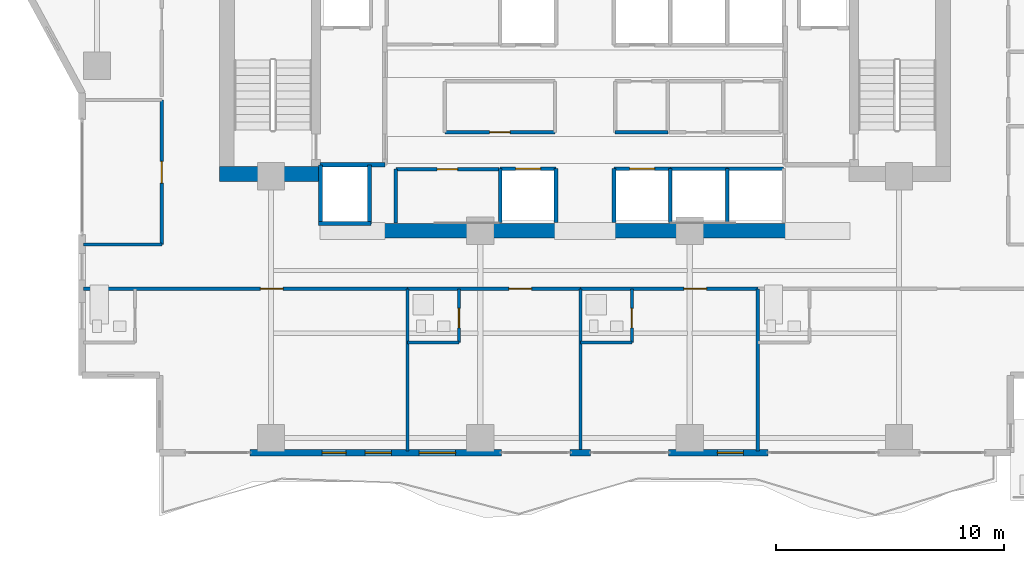
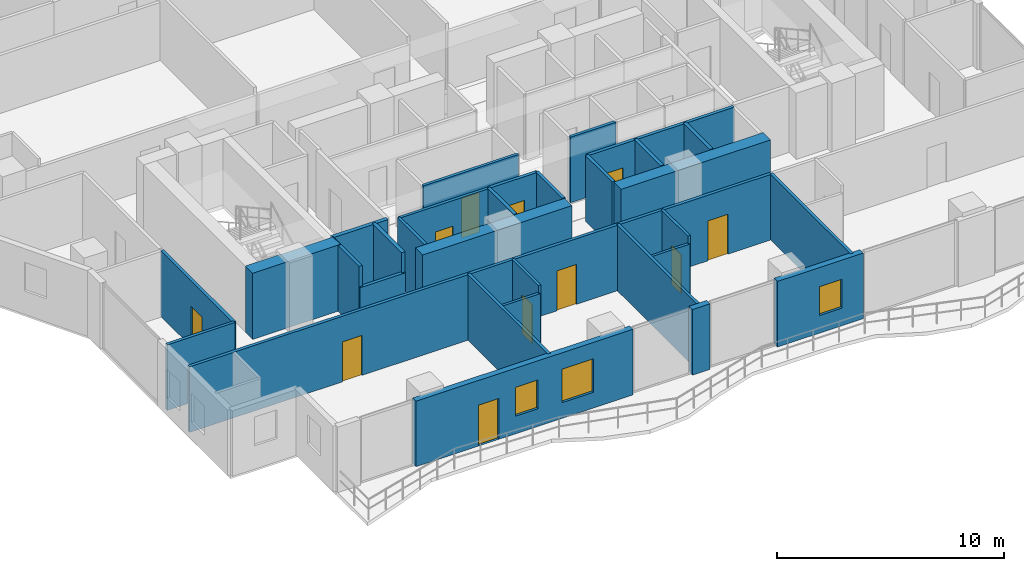
# One storey, part 24 of 33: 35 walls, 11 doors, 3 windows, 14 openings.
"""IFC4 building model written with IfcOpenShell, lengths in metres."""

from ifc_helpers import new_model, si_unit, direction, frame, frame_2d, origin, place, context, subcontext, project, spatial, rectangle, extrude, material, layer, layer_set, type_object, element, fill, save


model = new_model("IFC4")

# Units and contexts
model_context = context("Model", 3, precision=1e-05, world=origin(), true_north=direction((0.0, 1.0)))
body_context = subcontext(model_context, "Body", "Model", "MODEL_VIEW")
ifc_project = project(units=[si_unit("LENGTHUNIT", "METRE"), si_unit("AREAUNIT", "SQUARE_METRE"), si_unit("VOLUMEUNIT", "CUBIC_METRE"), si_unit("PLANEANGLEUNIT", "RADIAN"), si_unit("MASSUNIT", "GRAM", prefix="KILO")], contexts=[model_context])

# Site, building, storey
site_placement = place(None, origin())
site = spatial("IfcSite", under=ifc_project, at=site_placement, CompositionType="ELEMENT")
building_placement = place(site_placement, origin())
building = spatial("IfcBuilding", under=site, at=building_placement, Name="Zuhayl Quay Hotel", CompositionType="ELEMENT")
storey_placement = place(building_placement, frame((0.0, 0.0, 207.39990234375)))
storey = spatial("IfcBuildingStorey", under=building, at=storey_placement, Name="L52", CompositionType="ELEMENT", Elevation=207.39990234375)

# Walls
ifc_material_1 = material(Name="Concrete C50/60", Category="concrete")
ifc_layer_1 = layer(ifc_material_1, 0.64990234375, Name="Concrete C50/60", Category="concrete")
ifc_layer_set_1 = layer_set([ifc_layer_1], Name="Concrete C50/60")
wall_type_1 = type_object("IfcWallType", Name="WL_CORE_650", PredefinedType="SHEAR", material=ifc_layer_set_1)
wall_1_placement = place(storey_placement, frame((-16.06005859375, 4.64501953125, 0.0), z_axis=(0.0, 0.0, 1.0), x_axis=(1.0, 0.0, 0.0)))
element("IfcWall", 1, at=wall_1_placement, inside=storey, type_object=wall_type_1, Name="L52 Core Shear Wall CW_SW", PredefinedType="SHEAR", context=body_context, shape_type="SweptSolid", body=[
    extrude(rectangle(XDim=4.4599609375, YDim=0.64990234375, at=frame_2d((2.22998046875, 0.0))), origin(), (0.0, 0.0, 1.0), 3.56005859375),
])
for number, where, z_axis, x_axis, name in (
    (2, (-8.85009765625, 2.14990234375, 0.0), (0.0, 0.0, 1.0), (1.0, 0.0, 0.0), "L52 Core Shear Wall CW_SC_W"),
    (3, (1.25, 2.14990234375, 0.0), (0.0, 0.0, 1.0), (1.0, 0.0, 0.0), "L52 Core Shear Wall CW_SC_E"),
):
    element("IfcWall", number, at=place(storey_placement, frame(where, z_axis=z_axis, x_axis=x_axis)), inside=storey, type_object=wall_type_1, Name=name, PredefinedType="SHEAR", context=body_context, shape_type="SweptSolid", body=[
        extrude(rectangle(XDim=7.60009765625, YDim=0.64990234375, at=frame_2d((3.800048828125, 0.0))), origin(), (0.0, 0.0, 1.0), 3.530029296875),
    ])

# Wall, opening, window
ifc_material_2 = material(Name="Precast concrete C45/55", Category="concrete")
ifc_layer_2 = layer(ifc_material_2, 0.300048828125, Name="Precast concrete C45/55", Category="concrete")
ifc_layer_set_2 = layer_set([ifc_layer_2], Name="Precast concrete C45/55")
wall_type_2 = type_object("IfcWallType", Name="WL_EXT_300", PredefinedType="STANDARD", material=ifc_layer_set_2)
wall_2_placement = place(storey_placement, frame((8.050048828125, -7.60009765625, 0.0), z_axis=(0.0, 0.0, 1.0), x_axis=(-1.0, 0.0, 0.0)))
wall_2 = element("IfcWall", 4, at=wall_2_placement, inside=storey, type_object=wall_type_2, Name="L52 Exterior Precast Wall ENV_L52_S_EW3", PredefinedType="STANDARD", context=body_context, shape_type="SweptSolid", body=[
    extrude(rectangle(XDim=4.3701171875, YDim=0.300048828125, at=frame_2d((2.18505859375, 0.0))), origin(), (0.0, 0.0, 1.0), 3.530029296875),
])
opening_1_placement = place(wall_2_placement, frame((1.0849609375, 0.0, 0.949951171875)))
opening_1 = element("IfcOpeningElement", 5, at=opening_1_placement, cuts=wall_2, Name="Opening W01N", PredefinedType="OPENING", context=body_context, shape_type="SweptSolid", body=[
    extrude(rectangle(XDim=1.14990234375, YDim=1.550048828125, at=frame_2d((0.574951171875, 0.77490234375))), frame((0.0, 0.159912109375, 0.0), z_axis=(0.0, -1.0, 0.0), x_axis=(1.0, 0.0, 0.0)), (0.0, 0.0, 1.0), 0.320068359375),
])
ifc_material_3 = material(Name="Dark Ceramic-Fritted Solar Glass", Category="glass")
window_type_1 = type_object("IfcWindowType", Name="WN_NOTCH_1350", PartitioningType="SINGLE_PANEL", PredefinedType="WINDOW", material=ifc_material_3)
window_1_placement = place(opening_1_placement, origin())
window_1 = element("IfcWindow", 6, at=window_1_placement, inside=storey, type_object=window_type_1, Name="L52 Operable Facade Window 3-1", OverallHeight=1.550048828125, OverallWidth=1.14990234375, PartitioningType="SINGLE_PANEL", PredefinedType="WINDOW", context=body_context, shape_type="SweptSolid", body=[
    extrude(rectangle(XDim=1.14990234375, YDim=1.550048828125, at=frame_2d((0.574951171875, 0.77490234375))), frame((0.0, 0.030029296875, 0.0), z_axis=(0.0, -1.0, 0.0), x_axis=(1.0, 0.0, 0.0)), (0.0, 0.0, 1.0), 0.06005859375),
])
fill(opening_1, window_1)

# Wall
wall_3_placement = place(storey_placement, frame((0.25, -7.60009765625, 0.0), z_axis=(0.0, 0.0, 1.0), x_axis=(-1.0, 0.0, 0.0)))
element("IfcWall", 7, at=wall_3_placement, inside=storey, type_object=wall_type_2, Name="L52 Exterior Precast Wall ENV_L52_S_EW4", PredefinedType="STANDARD", context=body_context, shape_type="SweptSolid", body=[
    extrude(rectangle(XDim=0.89990234375, YDim=0.300048828125, at=frame_2d((0.449951171875, 0.0))), origin(), (0.0, 0.0, 1.0), 3.530029296875),
])

# Wall, openings, door, windows
wall_4_placement = place(storey_placement, frame((-3.679931640625, -7.60009765625, 0.0), z_axis=(0.0, 0.0, 1.0), x_axis=(-1.0, 0.0, 0.0)))
wall_4 = element("IfcWall", 8, at=wall_4_placement, inside=storey, type_object=wall_type_2, Name="L52 Exterior Precast Wall ENV_L52_S_EW5", PredefinedType="STANDARD", context=body_context, shape_type="SweptSolid", body=[
    extrude(rectangle(XDim=11.0400390625, YDim=0.300048828125, at=frame_2d((5.52001953125, 0.0))), origin(), (0.0, 0.0, 1.0), 3.530029296875),
])
opening_2_placement = place(wall_4_placement, frame((6.820068359375, 0.0, 0.0)))
opening_2 = element("IfcOpeningElement", 9, at=opening_2_placement, cuts=wall_4, Name="Opening DG1", PredefinedType="OPENING", context=body_context, shape_type="SweptSolid", body=[
    extrude(rectangle(XDim=1.050048828125, YDim=2.199951171875, at=frame_2d((0.52490234375, 1.10009765625))), frame((0.0, 0.159912109375, 0.0), z_axis=(0.0, -1.0, 0.0), x_axis=(1.0, 0.0, 0.0)), (0.0, 0.0, 1.0), 0.320068359375),
])
opening_3_placement = place(wall_4_placement, frame((2.010009765625, 0.0, 0.85009765625)))
opening_3 = element("IfcOpeningElement", 10, at=opening_3_placement, cuts=wall_4, Name="Opening W01", PredefinedType="OPENING", context=body_context, shape_type="SweptSolid", body=[
    extrude(rectangle(XDim=1.60009765625, YDim=1.800048828125, at=frame_2d((0.800048828125, 0.89990234375))), frame((0.0, 0.159912109375, 0.0), z_axis=(0.0, -1.0, 0.0), x_axis=(1.0, 0.0, 0.0)), (0.0, 0.0, 1.0), 0.320068359375),
])
opening_4_placement = place(wall_4_placement, frame((4.830078125, 0.0, 0.949951171875)))
opening_4 = element("IfcOpeningElement", 11, at=opening_4_placement, cuts=wall_4, Name="Opening W01N", PredefinedType="OPENING", context=body_context, shape_type="SweptSolid", body=[
    extrude(rectangle(XDim=1.14990234375, YDim=1.550048828125, at=frame_2d((0.574951171875, 0.77490234375))), frame((0.0, 0.159912109375, 0.0), z_axis=(0.0, -1.0, 0.0), x_axis=(1.0, 0.0, 0.0)), (0.0, 0.0, 1.0), 0.320068359375),
])
ifc_material_4 = material(Name="Anodised Aluminium and Dark Solar Glass", Category="aluminium")
door_type_1 = type_object("IfcDoorType", Name="DR_EXT_TERR_1050", OperationType="NOTDEFINED", PredefinedType="DOOR", material=ifc_material_4)
door_1_placement = place(opening_2_placement, origin())
door_1 = element("IfcDoor", 12, at=door_1_placement, inside=storey, type_object=door_type_1, Name="L52 South Rippling Balcony Door", OperationType="SINGLE_SWING_RIGHT", OverallHeight=2.199951171875, OverallWidth=1.050048828125, PredefinedType="DOOR", context=body_context, shape_type="SweptSolid", body=[
    extrude(rectangle(XDim=1.050048828125, YDim=2.199951171875, at=frame_2d((0.52490234375, 1.10009765625))), frame((0.0, 0.02490234375, 0.0), z_axis=(0.0, -1.0, 0.0), x_axis=(1.0, 0.0, 0.0)), (0.0, 0.0, 1.0), 0.050048828125),
])
fill(opening_2, door_1)
window_2_placement = place(opening_4_placement, origin())
window_2 = element("IfcWindow", 13, at=window_2_placement, inside=storey, type_object=window_type_1, Name="L52 Operable Facade Window 5-2", OverallHeight=1.550048828125, OverallWidth=1.14990234375, PartitioningType="SINGLE_PANEL", PredefinedType="WINDOW", context=body_context, shape_type="SweptSolid", body=[
    extrude(rectangle(XDim=1.14990234375, YDim=1.550048828125, at=frame_2d((0.574951171875, 0.77490234375))), frame((0.0, 0.030029296875, 0.0), z_axis=(0.0, -1.0, 0.0), x_axis=(1.0, 0.0, 0.0)), (0.0, 0.0, 1.0), 0.06005859375),
])
fill(opening_4, window_2)
window_type_2 = type_object("IfcWindowType", Name="WN_OPERABLE_1600", PartitioningType="DOUBLE_PANEL_VERTICAL", PredefinedType="WINDOW", material=ifc_material_3)
window_3_placement = place(opening_3_placement, origin())
window_3 = element("IfcWindow", 14, at=window_3_placement, inside=storey, type_object=window_type_2, Name="L52 Operable Facade Window 5-1", OverallHeight=1.800048828125, OverallWidth=1.60009765625, PartitioningType="SINGLE_PANEL", PredefinedType="WINDOW", context=body_context, shape_type="SweptSolid", body=[
    extrude(rectangle(XDim=1.60009765625, YDim=1.800048828125, at=frame_2d((0.800048828125, 0.89990234375))), frame((0.0, 0.030029296875, 0.0), z_axis=(0.0, -1.0, 0.0), x_axis=(1.0, 0.0, 0.0)), (0.0, 0.0, 1.0), 0.06005859375),
])
fill(opening_3, window_3)

# Wall, opening, door
ifc_material_5 = material(Name="Acoustic Gypsum Partition STC-58")
ifc_layer_3 = layer(ifc_material_5, 0.14990234375, Name="Acoustic Gypsum Partition STC-58")
ifc_layer_set_3 = layer_set([ifc_layer_3], Name="Acoustic Gypsum Partition STC-58")
wall_type_3 = type_object("IfcWallType", Name="WL_PART_150", PredefinedType="PARTITIONING", material=ifc_layer_set_3)
wall_5_placement = place(storey_placement, frame((-8.31005859375, 4.860107421875, 0.0), z_axis=(0.0, 0.0, 1.0), x_axis=(1.0, 0.0, 0.0)))
wall_5 = element("IfcWall", 15, at=wall_5_placement, inside=storey, type_object=wall_type_3, Name="L52 Partition IW_L52_FLP_S_N", PredefinedType="PARTITIONING", context=body_context, shape_type="SweptSolid", body=[
    extrude(rectangle(XDim=4.52001953125, YDim=0.14990234375, at=frame_2d((2.260009765625, 0.0))), origin(), (0.0, 0.0, 1.0), 3.530029296875),
])
opening_5_placement = place(wall_5_placement, frame((1.81005859375, 0.0, 0.0)))
opening_5 = element("IfcOpeningElement", 16, at=opening_5_placement, cuts=wall_5, Name="Opening D06", PredefinedType="OPENING", context=body_context, shape_type="SweptSolid", body=[
    extrude(rectangle(XDim=0.89990234375, YDim=2.14990234375, at=frame_2d((0.449951171875, 1.074951171875))), frame((0.0, 0.0849609375, 0.0), z_axis=(0.0, -1.0, 0.0), x_axis=(1.0, 0.0, 0.0)), (0.0, 0.0, 1.0), 0.169921875),
])
ifc_material_6 = material(Name="Steel ASTM A992 Grade 50", Category="steel")
door_type_2 = type_object("IfcDoorType", Name="DR_INT_900", OperationType="NOTDEFINED", PredefinedType="DOOR", material=ifc_material_6)
door_2_placement = place(opening_5_placement, origin())
door_2 = element("IfcDoor", 17, at=door_2_placement, inside=storey, type_object=door_type_2, Name="L52 Tea Pantry West Door", OperationType="SINGLE_SWING_RIGHT", OverallHeight=2.14990234375, OverallWidth=0.89990234375, PredefinedType="DOOR", context=body_context, shape_type="SweptSolid", body=[
    extrude(rectangle(XDim=0.89990234375, YDim=2.14990234375, at=frame_2d((0.449951171875, 1.074951171875))), frame((0.0, 0.02490234375, 0.0), z_axis=(0.0, -1.0, 0.0), x_axis=(1.0, 0.0, 0.0)), (0.0, 0.0, 1.0), 0.050048828125),
])
fill(opening_5, door_2)

wall_6_placement = place(storey_placement, frame((-6.159912109375, 6.47998046875, 0.0), z_axis=(0.0, 0.0, 1.0), x_axis=(1.0, 0.0, 0.0)))
wall_6 = element("IfcWall", 18, at=wall_6_placement, inside=storey, type_object=wall_type_3, Name="L52 Partition IW_L52_CORE_SV_S", PredefinedType="PARTITIONING", context=body_context, shape_type="SweptSolid", body=[
    extrude(rectangle(XDim=4.83984375, YDim=0.14990234375, at=frame_2d((2.419921875, 0.0))), origin(), (0.0, 0.0, 1.0), 3.530029296875),
])
opening_6_placement = place(wall_6_placement, frame((1.969970703125, 0.0, 0.0)))
opening_6 = element("IfcOpeningElement", 19, at=opening_6_placement, cuts=wall_6, Name="Opening D06", PredefinedType="OPENING", context=body_context, shape_type="SweptSolid", body=[
    extrude(rectangle(XDim=0.89990234375, YDim=2.14990234375, at=frame_2d((0.449951171875, 1.074951171875))), frame((0.0, 0.0849609375, 0.0), z_axis=(0.0, -1.0, 0.0), x_axis=(1.0, 0.0, 0.0)), (0.0, 0.0, 1.0), 0.169921875),
])
door_3_placement = place(opening_6_placement, origin())
door_3 = element("IfcDoor", 20, at=door_3_placement, inside=storey, type_object=door_type_2, Name="L52 Core Ice and Linen Store Door", OperationType="SINGLE_SWING_RIGHT", OverallHeight=2.14990234375, OverallWidth=0.89990234375, PredefinedType="DOOR", context=body_context, shape_type="SweptSolid", body=[
    extrude(rectangle(XDim=0.89990234375, YDim=2.14990234375, at=frame_2d((0.449951171875, 1.074951171875))), frame((0.0, 0.02490234375, 0.0), z_axis=(0.0, -1.0, 0.0), x_axis=(1.0, 0.0, 0.0)), (0.0, 0.0, 1.0), 0.050048828125),
])
fill(opening_6, door_3)

# Walls
wall_7_placement = place(storey_placement, frame((-8.31005859375, 2.489990234375, 0.0), z_axis=(0.0, 0.0, 1.0), x_axis=(0.0, 1.0, 0.0)))
element("IfcWall", 21, at=wall_7_placement, inside=storey, type_object=wall_type_3, Name="L52 Partition IW_L52_FLP_S_W", PredefinedType="PARTITIONING", context=body_context, shape_type="SweptSolid", body=[
    extrude(rectangle(XDim=2.3701171875, YDim=0.14990234375, at=frame_2d((1.18505859375, 0.0))), origin(), (0.0, 0.0, 1.0), 3.530029296875),
])
wall_8_placement = place(storey_placement, frame((1.320068359375, 6.47998046875, 0.0), z_axis=(0.0, 0.0, 1.0), x_axis=(1.0, 0.0, 0.0)))
element("IfcWall", 22, at=wall_8_placement, inside=storey, type_object=wall_type_3, Name="L52 Partition IW_L52_CORE_E1_S", PredefinedType="PARTITIONING", context=body_context, shape_type="SweptSolid", body=[
    extrude(rectangle(XDim=2.31982421875, YDim=0.14990234375, at=frame_2d((1.159912109375, 0.0))), origin(), (0.0, 0.0, 1.0), 3.530029296875),
])
for number, where, z_axis, x_axis, name in (
    (23, (-7.800048828125, -7.52001953125, 0.0), (0.0, 0.0, 1.0), (0.0, 1.0, 0.0), "L52 Partition IW_L52_SU01_E"),
    (24, (-0.199951171875, -7.52001953125, 0.0), (0.0, 0.0, 1.0), (0.0, 1.0, 0.0), "L52 Partition IW_L52_SU02_E"),
    (25, (7.60009765625, -7.52001953125, 0.0), (0.0, 0.0, 1.0), (0.0, 1.0, 0.0), "L52 Partition IW_L52_SU03_E"),
):
    element("IfcWall", number, at=place(storey_placement, frame(where, z_axis=z_axis, x_axis=x_axis)), inside=storey, type_object=wall_type_3, Name=name, PredefinedType="PARTITIONING", context=body_context, shape_type="SweptSolid", body=[
        extrude(rectangle(XDim=7.1201171875, YDim=0.14990234375, at=frame_2d((3.56005859375, 0.0))), origin(), (0.0, 0.0, 1.0), 3.530029296875),
    ])
wall_9_placement = place(storey_placement, frame((-22.0400390625, 1.550048828125, 0.0), z_axis=(0.0, 0.0, 1.0), x_axis=(1.0, 0.0, 0.0)))
element("IfcWall", 26, at=wall_9_placement, inside=storey, type_object=wall_type_3, Name="L52 Partition IW_L52_WPROW_1_S", PredefinedType="PARTITIONING", context=body_context, shape_type="SweptSolid", body=[
    extrude(rectangle(XDim=3.43994140625, YDim=0.14990234375, at=frame_2d((1.719970703125, 0.0))), origin(), (0.0, 0.0, 1.0), 3.530029296875),
])

# Wall, opening, door
ifc_layer_4 = layer(ifc_material_5, 0.159912109375, Name="Acoustic Gypsum Partition STC-58")
ifc_layer_set_4 = layer_set([ifc_layer_4], Name="Acoustic Gypsum Partition STC-58")
wall_type_4 = type_object("IfcWallType", Name="WL_PART_CORR_160", PredefinedType="PARTITIONING", material=ifc_layer_set_4)
wall_10_placement = place(storey_placement, frame((-22.0400390625, -0.39990234375, 0.0), z_axis=(0.0, 0.0, 1.0), x_axis=(1.0, 0.0, 0.0)))
wall_10 = element("IfcWall", 27, at=wall_10_placement, inside=storey, type_object=wall_type_4, Name="L52 Partition IW_L52_SU01_COR", PredefinedType="PARTITIONING", context=body_context, shape_type="SweptSolid", body=[
    extrude(rectangle(XDim=14.239990234375, YDim=0.159912109375, at=frame_2d((7.1201171875, 0.0))), origin(), (0.0, 0.0, 1.0), 3.530029296875),
])
opening_7_placement = place(wall_10_placement, frame((7.77001953125, 0.0, 0.0)))
opening_7 = element("IfcOpeningElement", 28, at=opening_7_placement, cuts=wall_10, Name="Opening D03L", PredefinedType="OPENING", context=body_context, shape_type="SweptSolid", body=[
    extrude(rectangle(XDim=1.0, YDim=2.14990234375, at=frame_2d((0.5, 1.074951171875))), frame((0.0, 0.08984375, 0.0), z_axis=(0.0, -1.0, 0.0), x_axis=(1.0, 0.0, 0.0)), (0.0, 0.0, 1.0), 0.179931640625),
])
ifc_material_7 = material(Name="Solid Walnut Acoustic Fire Door")
door_type_3 = type_object("IfcDoorType", Name="DR_SUITE_1000", OperationType="NOTDEFINED", PredefinedType="DOOR", material=ifc_material_7)
door_4_placement = place(opening_7_placement, origin())
door_4 = element("IfcDoor", 29, at=door_4_placement, inside=storey, type_object=door_type_3, Name="L52 City-View Junior Suite L52-01 Entrance Door", OperationType="SINGLE_SWING_LEFT", OverallHeight=2.14990234375, OverallWidth=1.0, PredefinedType="DOOR", context=body_context, shape_type="SweptSolid", body=[
    extrude(rectangle(XDim=1.0, YDim=2.14990234375, at=frame_2d((0.5, 1.074951171875))), frame((0.0, 0.02490234375, 0.0), z_axis=(0.0, -1.0, 0.0), x_axis=(1.0, 0.0, 0.0)), (0.0, 0.0, 1.0), 0.050048828125),
])
fill(opening_7, door_4)

wall_11_placement = place(storey_placement, frame((-7.800048828125, -0.39990234375, 0.0), z_axis=(0.0, 0.0, 1.0), x_axis=(1.0, 0.0, 0.0)))
wall_11 = element("IfcWall", 30, at=wall_11_placement, inside=storey, type_object=wall_type_4, Name="L52 Partition IW_L52_SU02_COR", PredefinedType="PARTITIONING", context=body_context, shape_type="SweptSolid", body=[
    extrude(rectangle(XDim=7.60009765625, YDim=0.159912109375, at=frame_2d((3.800048828125, 0.0))), origin(), (0.0, 0.0, 1.0), 3.530029296875),
])
opening_8_placement = place(wall_11_placement, frame((4.449951171875, 0.0, 0.0)))
opening_8 = element("IfcOpeningElement", 31, at=opening_8_placement, cuts=wall_11, Name="Opening D03L", PredefinedType="OPENING", context=body_context, shape_type="SweptSolid", body=[
    extrude(rectangle(XDim=1.0, YDim=2.14990234375, at=frame_2d((0.5, 1.074951171875))), frame((0.0, 0.08984375, 0.0), z_axis=(0.0, -1.0, 0.0), x_axis=(1.0, 0.0, 0.0)), (0.0, 0.0, 1.0), 0.179931640625),
])
door_5_placement = place(opening_8_placement, origin())
door_5 = element("IfcDoor", 32, at=door_5_placement, inside=storey, type_object=door_type_3, Name="L52 City-View Junior Suite L52-02 Entrance Door", OperationType="SINGLE_SWING_LEFT", OverallHeight=2.14990234375, OverallWidth=1.0, PredefinedType="DOOR", context=body_context, shape_type="SweptSolid", body=[
    extrude(rectangle(XDim=1.0, YDim=2.14990234375, at=frame_2d((0.5, 1.074951171875))), frame((0.0, 0.02490234375, 0.0), z_axis=(0.0, -1.0, 0.0), x_axis=(1.0, 0.0, 0.0)), (0.0, 0.0, 1.0), 0.050048828125),
])
fill(opening_8, door_5)

wall_12_placement = place(storey_placement, frame((-0.199951171875, -0.39990234375, 0.0), z_axis=(0.0, 0.0, 1.0), x_axis=(1.0, 0.0, 0.0)))
wall_12 = element("IfcWall", 33, at=wall_12_placement, inside=storey, type_object=wall_type_4, Name="L52 Partition IW_L52_SU03_COR", PredefinedType="PARTITIONING", context=body_context, shape_type="SweptSolid", body=[
    extrude(rectangle(XDim=7.800048828125, YDim=0.159912109375, at=frame_2d((3.89990234375, 0.0))), origin(), (0.0, 0.0, 1.0), 3.530029296875),
])
opening_9_placement = place(wall_12_placement, frame((4.550048828125, 0.0, 0.0)))
opening_9 = element("IfcOpeningElement", 34, at=opening_9_placement, cuts=wall_12, Name="Opening D03L", PredefinedType="OPENING", context=body_context, shape_type="SweptSolid", body=[
    extrude(rectangle(XDim=1.0, YDim=2.14990234375, at=frame_2d((0.5, 1.074951171875))), frame((0.0, 0.08984375, 0.0), z_axis=(0.0, -1.0, 0.0), x_axis=(1.0, 0.0, 0.0)), (0.0, 0.0, 1.0), 0.179931640625),
])
door_6_placement = place(opening_9_placement, origin())
door_6 = element("IfcDoor", 35, at=door_6_placement, inside=storey, type_object=door_type_3, Name="L52 City-View Junior Suite L52-03 Entrance Door", OperationType="SINGLE_SWING_LEFT", OverallHeight=2.14990234375, OverallWidth=1.0, PredefinedType="DOOR", context=body_context, shape_type="SweptSolid", body=[
    extrude(rectangle(XDim=1.0, YDim=2.14990234375, at=frame_2d((0.5, 1.074951171875))), frame((0.0, 0.02490234375, 0.0), z_axis=(0.0, -1.0, 0.0), x_axis=(1.0, 0.0, 0.0)), (0.0, 0.0, 1.0), 0.050048828125),
])
fill(opening_9, door_6)

wall_13_placement = place(storey_placement, frame((-18.60009765625, 1.550048828125, 0.0), z_axis=(0.0, 0.0, 1.0), x_axis=(0.0, 1.0, 0.0)))
wall_13 = element("IfcWall", 36, at=wall_13_placement, inside=storey, type_object=wall_type_4, Name="L52 Partition IW_L52_WPROW_1_E", PredefinedType="PARTITIONING", context=body_context, shape_type="SweptSolid", body=[
    extrude(rectangle(XDim=6.349853515625, YDim=0.159912109375, at=frame_2d((3.1748046875, 0.0))), origin(), (0.0, 0.0, 1.0), 3.530029296875),
])
opening_10_placement = place(wall_13_placement, frame((2.699951171875, 0.0, 0.0)))
opening_10 = element("IfcOpeningElement", 37, at=opening_10_placement, cuts=wall_13, Name="Opening D03", PredefinedType="OPENING", context=body_context, shape_type="SweptSolid", body=[
    extrude(rectangle(XDim=0.949951171875, YDim=2.14990234375, at=frame_2d((0.47509765625, 1.074951171875))), frame((0.0, 0.08984375, 0.0), z_axis=(0.0, -1.0, 0.0), x_axis=(1.0, 0.0, 0.0)), (0.0, 0.0, 1.0), 0.179931640625),
])
door_type_4 = type_object("IfcDoorType", Name="DR_SUITE_950", OperationType="NOTDEFINED", PredefinedType="DOOR", material=ifc_material_7)
door_7_placement = place(opening_10_placement, origin())
door_7 = element("IfcDoor", 38, at=door_7_placement, inside=storey, type_object=door_type_4, Name="L52 West Prow Office L52 Door", OperationType="SINGLE_SWING_LEFT", OverallHeight=2.14990234375, OverallWidth=0.949951171875, PredefinedType="DOOR", context=body_context, shape_type="SweptSolid", body=[
    extrude(rectangle(XDim=0.949951171875, YDim=2.14990234375, at=frame_2d((0.47509765625, 1.074951171875))), frame((0.0, 0.02490234375, 0.0), z_axis=(0.0, -1.0, 0.0), x_axis=(1.0, 0.0, 0.0)), (0.0, 0.0, 1.0), 0.050048828125),
])
fill(opening_10, door_7)

ifc_material_8 = material(Name="Moisture-Resistant Sanitarychase Gypsum")
ifc_layer_5 = layer(ifc_material_8, 0.135009765625, Name="Moisture-Resistant Sanitarychase Gypsum")
ifc_layer_set_5 = layer_set([ifc_layer_5], Name="Moisture-Resistant Sanitarychase Gypsum")
wall_type_5 = type_object("IfcWallType", Name="WL_PART_PLUMB_150", PredefinedType="PLUMBINGWALL", material=ifc_layer_set_5)
wall_14_placement = place(storey_placement, frame((-5.5400390625, -2.760009765625, 0.0), z_axis=(0.0, 0.0, 1.0), x_axis=(0.0, 1.0, 0.0)))
wall_14 = element("IfcWall", 39, at=wall_14_placement, inside=storey, type_object=wall_type_5, Name="L52 Partition IW_L52_SU02_BE", PredefinedType="PLUMBINGWALL", context=body_context, shape_type="SweptSolid", body=[
    extrude(rectangle(XDim=2.360107421875, YDim=0.135009765625, at=frame_2d((1.18017578125, 0.0))), origin(), (0.0, 0.0, 1.0), 3.530029296875),
])
opening_11_placement = place(wall_14_placement, frame((0.64990234375, 0.0, 0.0)))
opening_11 = element("IfcOpeningElement", 40, at=opening_11_placement, cuts=wall_14, Name="Opening D04", PredefinedType="OPENING", context=body_context, shape_type="SweptSolid", body=[
    extrude(rectangle(XDim=0.85009765625, YDim=2.10009765625, at=frame_2d((0.425048828125, 1.050048828125))), frame((0.0, 0.077392578125, 0.0), z_axis=(0.0, -1.0, 0.0), x_axis=(1.0, 0.0, 0.0)), (0.0, 0.0, 1.0), 0.155029296875),
])
ifc_material_9 = material(Name="Moisture-Resistant Walnut Veneer")
door_type_5 = type_object("IfcDoorType", Name="DR_BATH_850", OperationType="NOTDEFINED", PredefinedType="DOOR", material=ifc_material_9)
door_8_placement = place(opening_11_placement, origin())
door_8 = element("IfcDoor", 41, at=door_8_placement, inside=storey, type_object=door_type_5, Name="L52 City-View Junior Suite L52-02 En-Suite Door", OperationType="SINGLE_SWING_RIGHT", OverallHeight=2.10009765625, OverallWidth=0.85009765625, PredefinedType="DOOR", context=body_context, shape_type="SweptSolid", body=[
    extrude(rectangle(XDim=0.85009765625, YDim=2.10009765625, at=frame_2d((0.425048828125, 1.050048828125))), frame((0.0, 0.02490234375, 0.0), z_axis=(0.0, -1.0, 0.0), x_axis=(1.0, 0.0, 0.0)), (0.0, 0.0, 1.0), 0.050048828125),
])
fill(opening_11, door_8)

wall_15_placement = place(storey_placement, frame((2.06005859375, -2.760009765625, 0.0), z_axis=(0.0, 0.0, 1.0), x_axis=(0.0, 1.0, 0.0)))
wall_15 = element("IfcWall", 42, at=wall_15_placement, inside=storey, type_object=wall_type_5, Name="L52 Partition IW_L52_SU03_BE", PredefinedType="PLUMBINGWALL", context=body_context, shape_type="SweptSolid", body=[
    extrude(rectangle(XDim=2.360107421875, YDim=0.135009765625, at=frame_2d((1.18017578125, 0.0))), origin(), (0.0, 0.0, 1.0), 3.530029296875),
])
opening_12_placement = place(wall_15_placement, frame((0.64990234375, 0.0, 0.0)))
opening_12 = element("IfcOpeningElement", 43, at=opening_12_placement, cuts=wall_15, Name="Opening D04", PredefinedType="OPENING", context=body_context, shape_type="SweptSolid", body=[
    extrude(rectangle(XDim=0.85009765625, YDim=2.10009765625, at=frame_2d((0.425048828125, 1.050048828125))), frame((0.0, 0.077392578125, 0.0), z_axis=(0.0, -1.0, 0.0), x_axis=(1.0, 0.0, 0.0)), (0.0, 0.0, 1.0), 0.155029296875),
])
door_9_placement = place(opening_12_placement, origin())
door_9 = element("IfcDoor", 44, at=door_9_placement, inside=storey, type_object=door_type_5, Name="L52 City-View Junior Suite L52-03 En-Suite Door", OperationType="SINGLE_SWING_RIGHT", OverallHeight=2.10009765625, OverallWidth=0.85009765625, PredefinedType="DOOR", context=body_context, shape_type="SweptSolid", body=[
    extrude(rectangle(XDim=0.85009765625, YDim=2.10009765625, at=frame_2d((0.425048828125, 1.050048828125))), frame((0.0, 0.02490234375, 0.0), z_axis=(0.0, -1.0, 0.0), x_axis=(1.0, 0.0, 0.0)), (0.0, 0.0, 1.0), 0.050048828125),
])
fill(opening_12, door_9)

# Walls
for number, where, z_axis, x_axis, name in (
    (45, (-7.800048828125, -2.760009765625, 0.0), (0.0, 0.0, 1.0), (1.0, 0.0, 0.0), "L52 Partition IW_L52_SU02_BS"),
    (46, (-0.199951171875, -2.760009765625, 0.0), (0.0, 0.0, 1.0), (1.0, 0.0, 0.0), "L52 Partition IW_L52_SU03_BS"),
):
    element("IfcWall", number, at=place(storey_placement, frame(where, z_axis=z_axis, x_axis=x_axis)), inside=storey, type_object=wall_type_5, Name=name, PredefinedType="PLUMBINGWALL", context=body_context, shape_type="SweptSolid", body=[
        extrude(rectangle(XDim=2.260009765625, YDim=0.135009765625, at=frame_2d((1.1298828125, 0.0))), origin(), (0.0, 0.0, 1.0), 3.1240234375),
    ])

# Wall, opening, door
ifc_material_10 = material(Name="Gypsum Fireboard Assembly EI-90")
ifc_layer_6 = layer(ifc_material_10, 0.1650390625, Name="Gypsum Fireboard Assembly EI-90")
ifc_layer_set_6 = layer_set([ifc_layer_6], Name="Gypsum Fireboard Assembly EI-90")
wall_type_6 = type_object("IfcWallType", Name="WL_PART_SHAFT_160", PredefinedType="PARTITIONING", material=ifc_layer_set_6)
wall_16_placement = place(storey_placement, frame((-3.72998046875, 4.8798828125, 0.0), z_axis=(0.0, 0.0, 1.0), x_axis=(1.0, 0.0, 0.0)))
wall_16 = element("IfcWall", 47, at=wall_16_placement, inside=storey, type_object=wall_type_6, Name="L52 Partition IW_L52_SH_MP1_F", PredefinedType="PARTITIONING", context=body_context, shape_type="SweptSolid", body=[
    extrude(rectangle(XDim=2.4599609375, YDim=0.1650390625, at=frame_2d((1.22998046875, 0.0))), origin(), (0.0, 0.0, 1.0), 3.530029296875),
])
opening_13_placement = place(wall_16_placement, frame((0.679931640625, 0.0, 0.0)))
opening_13 = element("IfcOpeningElement", 48, at=opening_13_placement, cuts=wall_16, Name="Opening LD1", PredefinedType="OPENING", context=body_context, shape_type="SweptSolid", body=[
    extrude(rectangle(XDim=1.10009765625, YDim=2.25, at=frame_2d((0.550048828125, 1.125))), frame((0.0, 0.092529296875, 0.0), z_axis=(0.0, -1.0, 0.0), x_axis=(1.0, 0.0, 0.0)), (0.0, 0.0, 1.0), 0.18505859375),
])
ifc_material_11 = material(Name="Brushed Stainless Steel", Category="steel")
door_type_6 = type_object("IfcDoorType", Name="DR_LIFT_PASS_1100", OperationType="SLIDING_TO_LEFT", PredefinedType="DOOR", material=ifc_material_11)
door_10_placement = place(opening_13_placement, origin())
door_10 = element("IfcDoor", 49, at=door_10_placement, inside=storey, type_object=door_type_6, Name="L52 Lift MP1 Sliding Landing Door", OperationType="SLIDING_TO_LEFT", OverallHeight=2.25, OverallWidth=1.10009765625, PredefinedType="DOOR", context=body_context, shape_type="SweptSolid", body=[
    extrude(rectangle(XDim=1.10009765625, YDim=2.25, at=frame_2d((0.550048828125, 1.125))), frame((0.0, 0.02490234375, 0.0), z_axis=(0.0, -1.0, 0.0), x_axis=(1.0, 0.0, 0.0)), (0.0, 0.0, 1.0), 0.050048828125),
])
fill(opening_13, door_10)

wall_17_placement = place(storey_placement, frame((1.27001953125, 4.8798828125, 0.0), z_axis=(0.0, 0.0, 1.0), x_axis=(1.0, 0.0, 0.0)))
wall_17 = element("IfcWall", 50, at=wall_17_placement, inside=storey, type_object=wall_type_6, Name="L52 Partition IW_L52_SH_MP2_F", PredefinedType="PARTITIONING", context=body_context, shape_type="SweptSolid", body=[
    extrude(rectangle(XDim=2.47998046875, YDim=0.1650390625, at=frame_2d((1.239990234375, 0.0))), origin(), (0.0, 0.0, 1.0), 3.530029296875),
])
opening_14_placement = place(wall_17_placement, frame((0.68994140625, 0.0, 0.0)))
opening_14 = element("IfcOpeningElement", 51, at=opening_14_placement, cuts=wall_17, Name="Opening LD1", PredefinedType="OPENING", context=body_context, shape_type="SweptSolid", body=[
    extrude(rectangle(XDim=1.10009765625, YDim=2.25, at=frame_2d((0.550048828125, 1.125))), frame((0.0, 0.092529296875, 0.0), z_axis=(0.0, -1.0, 0.0), x_axis=(1.0, 0.0, 0.0)), (0.0, 0.0, 1.0), 0.18505859375),
])
door_11_placement = place(opening_14_placement, origin())
door_11 = element("IfcDoor", 52, at=door_11_placement, inside=storey, type_object=door_type_6, Name="L52 Lift MP2 Sliding Landing Door", OperationType="SLIDING_TO_LEFT", OverallHeight=2.25, OverallWidth=1.10009765625, PredefinedType="DOOR", context=body_context, shape_type="SweptSolid", body=[
    extrude(rectangle(XDim=1.10009765625, YDim=2.25, at=frame_2d((0.550048828125, 1.125))), frame((0.0, 0.02490234375, 0.0), z_axis=(0.0, -1.0, 0.0), x_axis=(1.0, 0.0, 0.0)), (0.0, 0.0, 1.0), 0.050048828125),
])
fill(opening_14, door_11)

# Walls
for number, where, z_axis, x_axis, name in (
    (53, (-3.72998046875, 2.52001953125, 0.0), (0.0, 0.0, 1.0), (0.0, 1.0, 0.0), "L52 Partition IW_L52_SH_MP1_W"),
    (54, (-1.27001953125, 2.52001953125, 0.0), (0.0, 0.0, 1.0), (0.0, 1.0, 0.0), "L52 Partition IW_L52_SH_MP1_E"),
    (55, (1.27001953125, 2.52001953125, 0.0), (0.0, 0.0, 1.0), (0.0, 1.0, 0.0), "L52 Partition IW_L52_SH_MP2_W"),
    (56, (3.75, 2.52001953125, 0.0), (0.0, 0.0, 1.0), (0.0, 1.0, 0.0), "L52 Partition IW_L52_SH_MP2_E"),
):
    element("IfcWall", number, at=place(storey_placement, frame(where, z_axis=z_axis, x_axis=x_axis)), inside=storey, type_object=wall_type_6, Name=name, PredefinedType="PARTITIONING", context=body_context, shape_type="SweptSolid", body=[
        extrude(rectangle(XDim=2.35986328125, YDim=0.1650390625, at=frame_2d((1.179931640625, 0.0))), origin(), (0.0, 0.0, 1.0), 3.530029296875),
    ])
wall_18_placement = place(storey_placement, frame((3.75, 4.8798828125, 0.0), z_axis=(0.0, 0.0, 1.0), x_axis=(1.0, 0.0, 0.0)))
element("IfcWall", 57, at=wall_18_placement, inside=storey, type_object=wall_type_6, Name="L52 Partition IW_L52_SH_HP1_F", PredefinedType="PARTITIONING", context=body_context, shape_type="SweptSolid", body=[
    extrude(rectangle(XDim=2.5, YDim=0.1650390625, at=frame_2d((1.25, 0.0))), origin(), (0.0, 0.0, 1.0), 3.530029296875),
])
wall_19_placement = place(storey_placement, frame((6.25, 2.52001953125, 0.0), z_axis=(0.0, 0.0, 1.0), x_axis=(0.0, 1.0, 0.0)))
element("IfcWall", 58, at=wall_19_placement, inside=storey, type_object=wall_type_6, Name="L52 Partition IW_L52_SH_HP1_E", PredefinedType="PARTITIONING", context=body_context, shape_type="SweptSolid", body=[
    extrude(rectangle(XDim=2.35986328125, YDim=0.1650390625, at=frame_2d((1.179931640625, 0.0))), origin(), (0.0, 0.0, 1.0), 3.530029296875),
])
wall_20_placement = place(storey_placement, frame((6.25, 4.8798828125, 0.0), z_axis=(0.0, 0.0, 1.0), x_axis=(1.0, 0.0, 0.0)))
element("IfcWall", 59, at=wall_20_placement, inside=storey, type_object=wall_type_6, Name="L52 Partition IW_L52_SH_HP2_F", PredefinedType="PARTITIONING", context=body_context, shape_type="SweptSolid", body=[
    extrude(rectangle(XDim=2.47998046875, YDim=0.1650390625, at=frame_2d((1.239990234375, 0.0))), origin(), (0.0, 0.0, 1.0), 3.530029296875),
])
wall_21_placement = place(storey_placement, frame((-11.6298828125, 2.469970703125, 0.0), z_axis=(0.0, 0.0, 1.0), x_axis=(0.0, 1.0, 0.0)))
element("IfcWall", 60, at=wall_21_placement, inside=storey, type_object=wall_type_6, Name="L52 Partition IW_L52_RISER_W", PredefinedType="PARTITIONING", context=body_context, shape_type="SweptSolid", body=[
    extrude(rectangle(XDim=2.580078125, YDim=0.1650390625, at=frame_2d((1.2900390625, 0.0))), origin(), (0.0, 0.0, 1.0), 3.530029296875),
])
wall_22_placement = place(storey_placement, frame((-11.7099609375, 2.469970703125, 0.0), z_axis=(0.0, 0.0, 1.0), x_axis=(1.0, 0.0, 0.0)))
element("IfcWall", 61, at=wall_22_placement, inside=storey, type_object=wall_type_6, Name="L52 Partition IW_L52_RISER_S", PredefinedType="PARTITIONING", context=body_context, shape_type="SweptSolid", body=[
    extrude(rectangle(XDim=2.31005859375, YDim=0.1650390625, at=frame_2d((1.155029296875, 0.0))), origin(), (0.0, 0.0, 1.0), 2.43017578125),
])
ifc_layer_7 = layer(ifc_material_10, 0.179931640625, Name="Gypsum Fireboard Assembly EI-90")
ifc_layer_set_7 = layer_set([ifc_layer_7], Name="Gypsum Fireboard Assembly EI-90")
wall_type_7 = type_object("IfcWallType", Name="WL_PART_SHAFT_180", PredefinedType="PARTITIONING", material=ifc_layer_set_7)
wall_23_placement = place(storey_placement, frame((-9.469970703125, 2.449951171875, 0.0), z_axis=(0.0, 0.0, 1.0), x_axis=(0.0, 1.0, 0.0)))
element("IfcWall", 62, at=wall_23_placement, inside=storey, type_object=wall_type_7, Name="L52 Partition IW_L52_RISER_E", PredefinedType="PARTITIONING", context=body_context, shape_type="SweptSolid", body=[
    extrude(rectangle(XDim=2.60009765625, YDim=0.179931640625, at=frame_2d((1.300048828125, 0.0))), origin(), (0.0, 0.0, 1.0), 3.530029296875),
])
ifc_material_12 = material(Name="Gypsum Fireboard Assembly EI-120")
ifc_layer_8 = layer(ifc_material_12, 0.199951171875, Name="Gypsum Fireboard Assembly EI-120")
ifc_layer_set_8 = layer_set([ifc_layer_8], Name="Gypsum Fireboard Assembly EI-120")
wall_type_8 = type_object("IfcWallType", Name="WL_PART_SHAFT_200", PredefinedType="PARTITIONING", material=ifc_layer_set_8)
wall_24_placement = place(storey_placement, frame((-11.64990234375, 5.050048828125, 0.0), z_axis=(0.0, 0.0, 1.0), x_axis=(1.0, 0.0, 0.0)))
element("IfcWall", 63, at=wall_24_placement, inside=storey, type_object=wall_type_8, Name="L52 Partition IW_L52_FSAE_W_S", PredefinedType="PARTITIONING", context=body_context, shape_type="SweptSolid", body=[
    extrude(rectangle(XDim=2.849853515625, YDim=0.199951171875, at=frame_2d((1.4248046875, 0.0))), origin(), (0.0, 0.0, 1.0), 3.530029296875),
])

save(model, "model.ifc")
